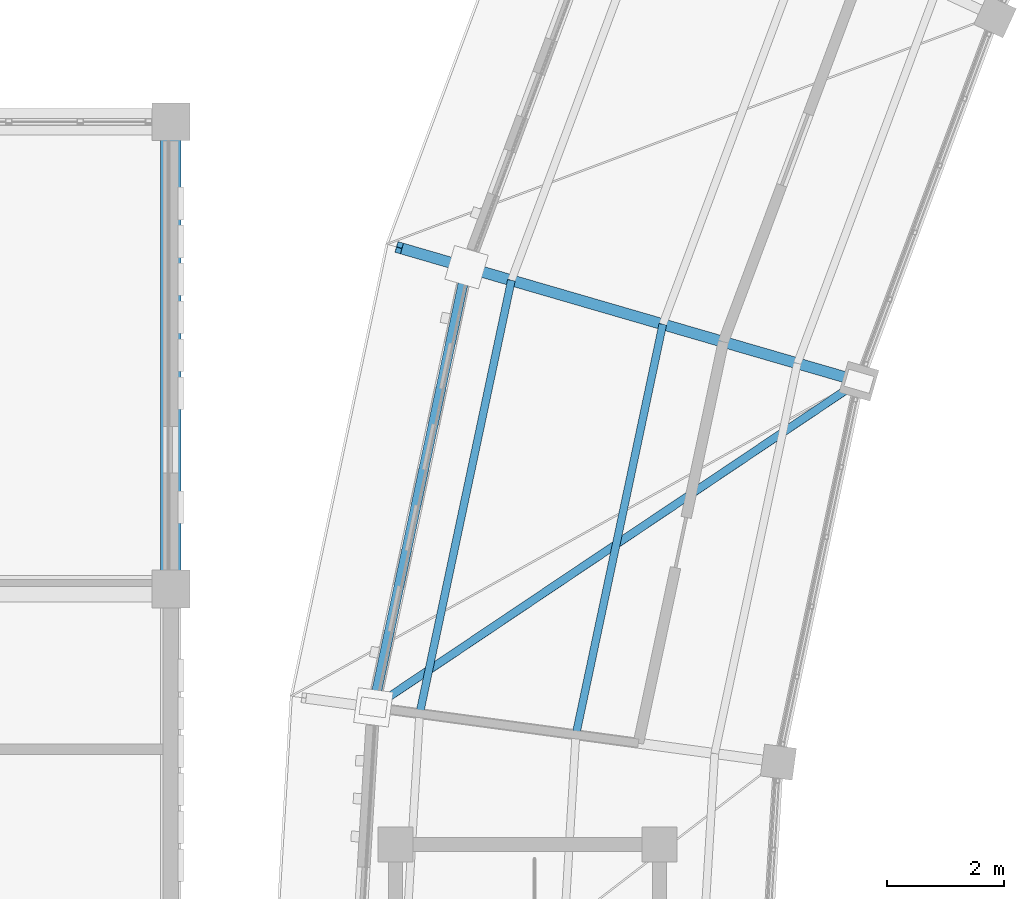
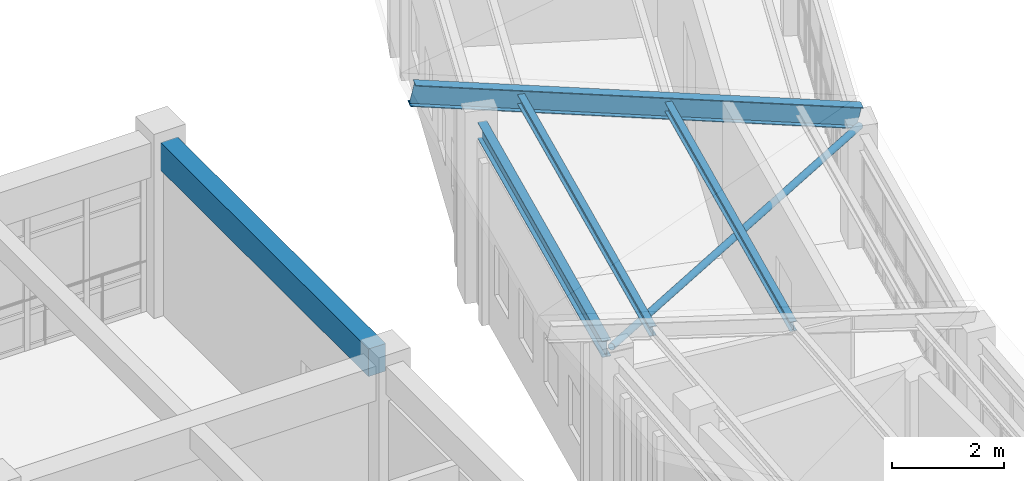
# One storey, part 64 of 149: 4 members, 2 beams.
"""IFC4 building model written with IfcOpenShell, lengths in metres."""

from ifc_helpers import new_model, si_unit, direction, frame, origin, origin_2d, place, context, subcontext, project, spatial, rectangle, hollow_circle, i_section, extrude, material, material_profile, profile_set, type_object, element, save


model = new_model("IFC4")

# Units and contexts
model_context = context("Model", 3, precision=1e-05, world=origin(), true_north=direction((0.0, 1.0)))
body_context = subcontext(model_context, "Body", "Model", "MODEL_VIEW")
ifc_project = project(units=[si_unit("LENGTHUNIT", "METRE"), si_unit("AREAUNIT", "SQUARE_METRE"), si_unit("VOLUMEUNIT", "CUBIC_METRE"), si_unit("PLANEANGLEUNIT", "RADIAN"), si_unit("MASSUNIT", "GRAM", prefix="KILO")], contexts=[model_context])

# Site, building, storey
site_placement = place(None, origin())
site = spatial("IfcSite", under=ifc_project, at=site_placement, CompositionType="ELEMENT")
building_placement = place(site_placement, origin())
building = spatial("IfcBuilding", under=site, at=building_placement, Name="Celadon Cloister-Ring School", CompositionType="ELEMENT")
storey_placement = place(building_placement, frame((0.0, 0.0, 12.5)))
storey = spatial("IfcBuildingStorey", under=building, at=storey_placement, Name="L03", CompositionType="ELEMENT", Elevation=12.5)

# Beam
ifc_material_1 = material(Name="Concrete C35/45", Category="concrete")
ifc_material_profile_1 = material_profile(ifc_material_1, rectangle(XDim=0.35009765625, YDim=0.60009765625, at=origin_2d()), Name="RC350X600")
ifc_profile_set_1 = profile_set([ifc_material_profile_1], Name="Concrete C35/45")
beam_type_1 = type_object("IfcBeamType", Name="BT-02", PredefinedType="BEAM", material=ifc_profile_set_1)
beam_1_placement = place(storey_placement, frame((32.0, 68.300048828125, 3.4599609375), z_axis=(0.0, 1.0, 0.0), x_axis=(-1.0, 0.0, 0.0)))
element("IfcBeam", 1, at=beam_1_placement, inside=storey, type_object=beam_type_1, Name="Beam 1638", PredefinedType="BEAM", context=body_context, shape_type="SweptSolid", body=[
    extrude(rectangle(XDim=0.35009765625, YDim=0.60009765625, at=origin_2d()), origin(), (0.0, 0.0, 1.0), 7.39990234375),
])

# Members
ifc_material_2 = material(Name="Structural steel S355JR", Category="steel")
ifc_material_profile_2 = material_profile(ifc_material_2, hollow_circle(Radius=0.06982421875, WallThickness=0.00634765625, at=origin_2d()), Name="CHS139.7X6.3")
ifc_profile_set_2 = profile_set([ifc_material_profile_2], Name="Structural steel S355JR")
member_type_1 = type_object("IfcMemberType", Name="MB-10", PredefinedType="BRACE", material=ifc_profile_set_2)
member_1_placement = place(storey_placement, frame((43.787109375, 71.554931640625, 2.449951171875), z_axis=(-0.821116651338, -0.551218926636, 0.148071401069), x_axis=(0.557362920237, -0.830268977588, 0.0)))
element("IfcMember", 2, at=member_1_placement, inside=storey, type_object=member_type_1, Name="Structural Member 0104", PredefinedType="BRACE", context=body_context, shape_type="SweptSolid", body=[
    extrude(hollow_circle(Radius=0.06982421875, WallThickness=0.00634765625, at=origin_2d()), origin(), (0.0, 0.0, 1.0), 10.130126953125),
])
ifc_material_3 = material(Name="Structural steel S355JR", Category="steel")
ifc_material_profile_3 = material_profile(ifc_material_3, i_section(OverallWidth=0.133056640625, OverallDepth=0.20703125, WebThickness=0.005859375, FlangeThickness=0.00830078125, at=origin_2d()), Name="W200X27")
ifc_profile_set_3 = profile_set([ifc_material_profile_3], Name="Structural steel S355JR")
member_type_2 = type_object("IfcMemberType", Name="MP-04", PredefinedType="PURLIN", material=ifc_profile_set_3)
member_2_placement = place(storey_placement, frame((40.426025390625, 72.531005859375, 3.4599609375), z_axis=(-0.207108076555, -0.978318069252, 0.0), x_axis=(0.978318069252, -0.207108076555, 0.0)))
element("IfcMember", 3, at=member_2_placement, inside=storey, type_object=member_type_2, Name="Structural Member 0102", PredefinedType="PURLIN", context=body_context, shape_type="SweptSolid", body=[
    extrude(i_section(OverallWidth=0.133056640625, OverallDepth=0.20703125, WebThickness=0.005859375, FlangeThickness=0.00830078125, at=origin_2d()), origin(), (0.0, 0.0, 1.0), 7.184814453125),
])
member_3_placement = place(storey_placement, frame((37.8330078125, 73.283935546875, 4.073974609375), z_axis=(-0.207141083423, -0.978311081179, 0.0), x_axis=(0.978311081179, -0.207141083423, 0.0)))
element("IfcMember", 4, at=member_3_placement, inside=storey, type_object=member_type_2, Name="Structural Member 0103", PredefinedType="PURLIN", context=body_context, shape_type="SweptSolid", body=[
    extrude(i_section(OverallWidth=0.133056640625, OverallDepth=0.20703125, WebThickness=0.005859375, FlangeThickness=0.00830078125, at=origin_2d()), origin(), (0.0, 0.0, 1.0), 7.58447265625),
])
ifc_material_4 = material(Name="Structural steel S355JR", Category="steel")
ifc_material_profile_4 = material_profile(ifc_material_4, i_section(OverallWidth=0.18994140625, OverallDepth=0.45703125, WebThickness=0.009033203125, FlangeThickness=0.014404296875, at=origin_2d()), Name="W460X74")
ifc_profile_set_4 = profile_set([ifc_material_profile_4], Name="Structural steel S355JR")
member_type_3 = type_object("IfcMemberType", Name="MR-03", PredefinedType="RAFTER", material=ifc_profile_set_4)
member_4_placement = place(storey_placement, frame((43.787109375, 71.554931640625, 2.674072265625), z_axis=(-0.936654479935, 0.272029364088, 0.220631843333), x_axis=(-0.278902309045, -0.960319479137, 0.0)))
element("IfcMember", 5, at=member_4_placement, inside=storey, type_object=member_type_3, Name="Structural Member 0012", PredefinedType="RAFTER", context=body_context, shape_type="SweptSolid", body=[
    extrude(i_section(OverallWidth=0.18994140625, OverallDepth=0.45703125, WebThickness=0.009033203125, FlangeThickness=0.014404296875, at=origin_2d()), origin(), (0.0, 0.0, 1.0), 8.407470703125),
])

# Beam
ifc_material_5 = material(Name="Structural steel S355JR", Category="steel")
ifc_material_profile_5 = material_profile(ifc_material_5, i_section(OverallWidth=0.1708984375, OverallDepth=0.35498046875, WebThickness=0.007080078125, FlangeThickness=0.01171875, at=origin_2d()), Name="W360X51")
ifc_profile_set_5 = profile_set([ifc_material_profile_5], Name="Structural steel S355JR")
beam_type_2 = type_object("IfcBeamType", Name="SP-04", PredefinedType="SPANDREL", material=ifc_profile_set_5)
beam_2_placement = place(storey_placement, frame((37.008056640625, 73.239013671875, 3.722900390625), z_axis=(-0.207174668575, -0.97830396948, 0.0), x_axis=(0.97830396948, -0.207174668575, 0.0)))
element("IfcBeam", 6, at=beam_2_placement, inside=storey, type_object=beam_type_2, Name="Beam 0534", PredefinedType="SPANDREL", context=body_context, shape_type="SweptSolid", body=[
    extrude(i_section(OverallWidth=0.1708984375, OverallDepth=0.35498046875, WebThickness=0.007080078125, FlangeThickness=0.01171875, at=origin_2d()), origin(), (0.0, 0.0, 1.0), 7.154296875),
])

save(model, "model.ifc")
